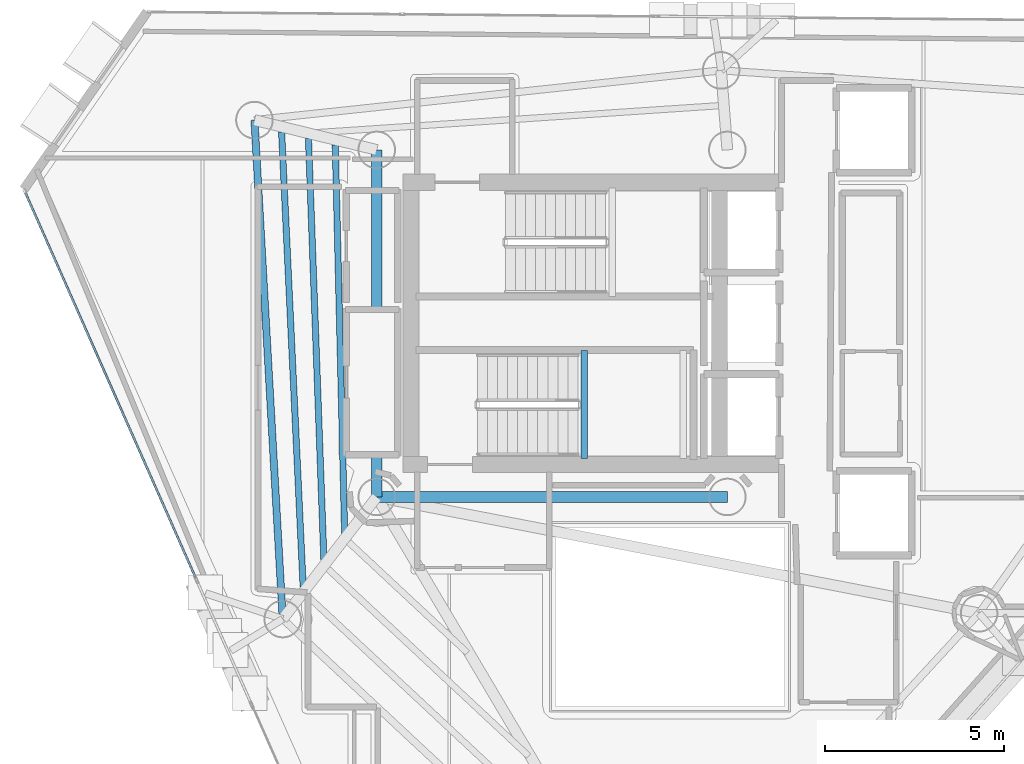
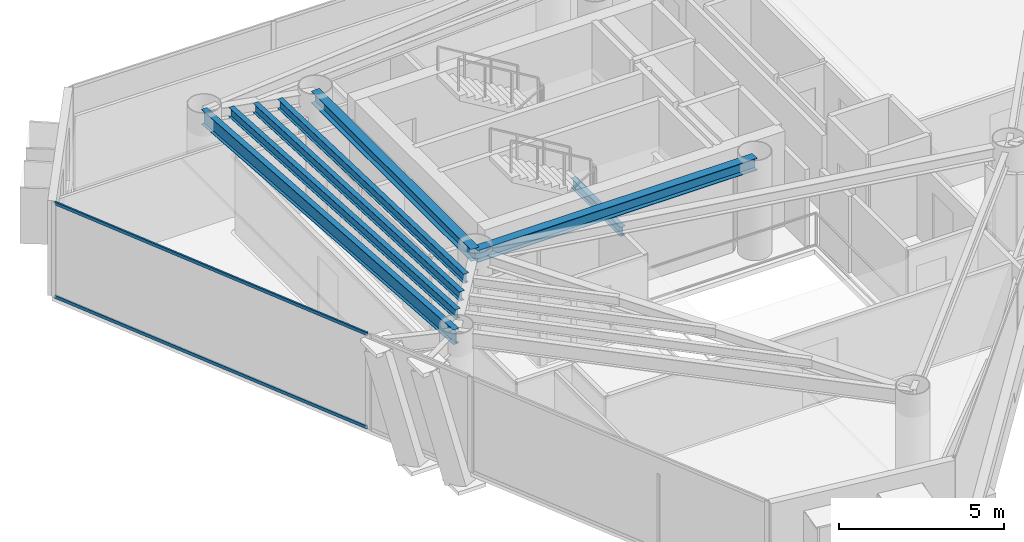
# One storey, part 8 of 21: 7 beams, 2 members, 1 element without a shape of its own.
"""IFC4 building model written with IfcOpenShell, lengths in metres."""

from ifc_helpers import new_model, si_unit, direction, frame, origin, origin_2d, place, context, subcontext, project, spatial, hollow_rectangle, i_section, extrude, material, layer, layer_set, material_profile, profile_set, type_object, element, aggregate, save


model = new_model("IFC4")

# Units and contexts
model_context = context("Model", 3, precision=1e-05, world=origin(), true_north=direction((0.0, 1.0)))
body_context = subcontext(model_context, "Body", "Model", "MODEL_VIEW")
ifc_project = project(units=[si_unit("LENGTHUNIT", "METRE"), si_unit("AREAUNIT", "SQUARE_METRE"), si_unit("VOLUMEUNIT", "CUBIC_METRE"), si_unit("PLANEANGLEUNIT", "RADIAN"), si_unit("MASSUNIT", "GRAM", prefix="KILO")], contexts=[model_context])

# Site, building, storey
site_placement = place(None, origin())
site = spatial("IfcSite", under=ifc_project, at=site_placement, CompositionType="ELEMENT")
building_placement = place(site_placement, origin())
building = spatial("IfcBuilding", under=site, at=building_placement, Name="Qianvela Tower", CompositionType="ELEMENT")
storey_placement = place(building_placement, frame((0.0, 0.0, 250.10009765625)))
storey = spatial("IfcBuildingStorey", under=building, at=storey_placement, Name="L64", CompositionType="ELEMENT", Elevation=250.10009765625)

# Beams
ifc_material_1 = material(Name="Steel Q355B", Category="steel")
ifc_material_profile_1 = material_profile(ifc_material_1, i_section(OverallWidth=0.300048828125, OverallDepth=0.43994140625, WebThickness=0.010986328125, FlangeThickness=0.01806640625, at=origin_2d()), Name="HM440x300x11x18")
ifc_profile_set_1 = profile_set([ifc_material_profile_1], Name="Steel Q355B")
beam_type_1 = type_object("IfcBeamType", Name="BM-HM440-COLL", PredefinedType="BEAM", material=ifc_profile_set_1)
beam_1_placement = place(storey_placement, frame((28.60009765625, 23.85009765625, 3.2978515625), z_axis=(1.0, 0.0, 0.0), x_axis=(0.0, 1.0, 0.0)))
element("IfcBeam", 1, at=beam_1_placement, inside=storey, type_object=beam_type_1, Name="L64 Core Ring Collector Girder CC1", PredefinedType="BEAM", context=body_context, shape_type="SweptSolid", body=[
    extrude(i_section(OverallWidth=0.300048828125, OverallDepth=0.43994140625, WebThickness=0.010986328125, FlangeThickness=0.01806640625, at=origin_2d()), origin(), (0.0, 0.0, 1.0), 9.7998046875),
])
beam_2_placement = place(storey_placement, frame((28.60009765625, 33.550048828125, 3.2978515625), z_axis=(0.0, -1.0, 0.0), x_axis=(1.0, 0.0, 0.0)))
element("IfcBeam", 2, at=beam_2_placement, inside=storey, type_object=beam_type_1, Name="L64 Core Ring Collector Girder CC2", PredefinedType="BEAM", context=body_context, shape_type="SweptSolid", body=[
    extrude(i_section(OverallWidth=0.300048828125, OverallDepth=0.43994140625, WebThickness=0.010986328125, FlangeThickness=0.01806640625, at=origin_2d()), origin(), (0.0, 0.0, 1.0), 9.699951171875),
])
ifc_material_2 = material(Name="Steel Q355B", Category="steel")
ifc_material_profile_2 = material_profile(ifc_material_2, i_section(OverallWidth=0.175048828125, OverallDepth=0.35009765625, WebThickness=0.007080078125, FlangeThickness=0.010986328125, at=origin_2d()), Name="HN350x175x7x11")
ifc_profile_set_2 = profile_set([ifc_material_profile_2], Name="Steel Q355B")
beam_type_2 = type_object("IfcBeamType", Name="BM-HN350-JOIST", PredefinedType="JOIST", material=ifc_profile_set_2)
beam_3_placement = place(storey_placement, frame((27.44140625, 33.6875, 3.343017578125), z_axis=(0.024087497273, -0.999709854145, 0.0), x_axis=(0.999709854145, 0.024087497273, 0.0)))
element("IfcBeam", 3, at=beam_3_placement, inside=storey, type_object=beam_type_2, Name="L64 Secondary Composite Floor Joist 3.1", PredefinedType="JOIST", context=body_context, shape_type="SweptSolid", body=[
    extrude(i_section(OverallWidth=0.175048828125, OverallDepth=0.35009765625, WebThickness=0.007080078125, FlangeThickness=0.010986328125, at=origin_2d()), origin(), (0.0, 0.0, 1.0), 10.855224609375),
])
beam_4_placement = place(storey_placement, frame((26.69140625, 33.87109375, 3.343017578125), z_axis=(0.036597460417, -0.999330088555, 0.0), x_axis=(0.999330088555, 0.036597460417, 0.0)))
element("IfcBeam", 4, at=beam_4_placement, inside=storey, type_object=beam_type_2, Name="L64 Secondary Composite Floor Joist 3.2", PredefinedType="JOIST", context=body_context, shape_type="SweptSolid", body=[
    extrude(i_section(OverallWidth=0.175048828125, OverallDepth=0.35009765625, WebThickness=0.007080078125, FlangeThickness=0.010986328125, at=origin_2d()), origin(), (0.0, 0.0, 1.0), 11.794189453125),
])
beam_5_placement = place(storey_placement, frame((25.94091796875, 34.0546875, 3.343017578125), z_axis=(0.04729372403, -0.998881025782, 0.0), x_axis=(0.998881025782, 0.04729372403, 0.0)))
element("IfcBeam", 5, at=beam_5_placement, inside=storey, type_object=beam_type_2, Name="L64 Secondary Composite Floor Joist 3.3", PredefinedType="JOIST", context=body_context, shape_type="SweptSolid", body=[
    extrude(i_section(OverallWidth=0.175048828125, OverallDepth=0.35009765625, WebThickness=0.007080078125, FlangeThickness=0.010986328125, at=origin_2d()), origin(), (0.0, 0.0, 1.0), 12.735107421875),
])
beam_6_placement = place(storey_placement, frame((34.39990234375, 24.919921875, 1.474853515625), z_axis=(0.0, 1.0, 0.0), x_axis=(-1.0, 0.0, 0.0)))
element("IfcBeam", 6, at=beam_6_placement, inside=storey, type_object=beam_type_2, Name="L64 Stair ST-2 Landing Support Beam 1.1", PredefinedType="JOIST", context=body_context, shape_type="SweptSolid", body=[
    extrude(i_section(OverallWidth=0.175048828125, OverallDepth=0.35009765625, WebThickness=0.007080078125, FlangeThickness=0.010986328125, at=origin_2d()), origin(), (0.0, 0.0, 1.0), 3.02001953125),
])
ifc_material_3 = material(Name="Steel Q355B", Category="steel")
ifc_material_profile_3 = material_profile(ifc_material_3, i_section(OverallWidth=0.199951171875, OverallDepth=0.550048828125, WebThickness=0.010009765625, FlangeThickness=0.01611328125, at=origin_2d()), Name="HN550x200x10x16")
ifc_profile_set_3 = profile_set([ifc_material_profile_3], Name="Steel Q355B")
beam_type_3 = type_object("IfcBeamType", Name="BM-HN550-GIRD", PredefinedType="BEAM", material=ifc_profile_set_3)
beam_7_placement = place(storey_placement, frame((25.181884765625, 34.384033203125, 3.242919921875), z_axis=(0.056555056691, -0.998399481952, 0.0), x_axis=(0.998399481952, 0.056555056691, 0.0)))
element("IfcBeam", 7, at=beam_7_placement, inside=storey, type_object=beam_type_3, Name="L64 Perimeter Ring Spandrel Girder 3", PredefinedType="BEAM", context=body_context, shape_type="SweptSolid", body=[
    extrude(i_section(OverallWidth=0.199951171875, OverallDepth=0.550048828125, WebThickness=0.010009765625, FlangeThickness=0.01611328125, at=origin_2d()), origin(), (0.0, 0.0, 1.0), 13.969482421875),
])

# Curtain wall, members
ifc_material_4 = material(Name="Anodised Architectural Aluminium and Low-E Glass", Category="aluminium")
ifc_layer = layer(ifc_material_4, 0.159912109375)
ifc_layer_set = layer_set([ifc_layer], Name="Anodised Architectural Aluminium and Low-E Glass")
curtain_wall_type = type_object("IfcCurtainWallType", Name="CW-COLIV-Z56", PredefinedType="USERDEFINED", material=ifc_layer_set)
curtain_wall_placement = place(storey_placement, origin())
curtain_wall = element("IfcCurtainWall", 8, at=curtain_wall_placement, inside=storey, type_object=curtain_wall_type, Name="L64 CW-COLIV-Z56 Curtain Wall 04A", ObjectType="CURTAIN_WALL_SYSTEM", PredefinedType="USERDEFINED")
ifc_material_5 = material(Name="Anodised Architectural Aluminium 6063-T6", Category="aluminium")
ifc_material_profile_4 = material_profile(ifc_material_5, hollow_rectangle(XDim=0.06005859375, YDim=0.114990234375, WallThickness=0.00390625, at=origin_2d()), Name="ALU-TRAN-60x115")
ifc_profile_set_4 = profile_set([ifc_material_profile_4], Name="Anodised Architectural Aluminium 6063-T6")
member_type = type_object("IfcMemberType", Name="CW-COLIV-Z56-TRAN", PredefinedType="USERDEFINED", material=ifc_profile_set_4)
member_1_placement = place(storey_placement, frame((18.781982421875, 32.346435546875, 0.02978515625), z_axis=(0.40418850876, -0.914675707224, 0.0), x_axis=(0.914675707224, 0.40418850876, 0.0)))
member_1 = element("IfcMember", 9, at=member_1_placement, type_object=member_type, Name="CW-5 transom 1.1", ObjectType="TRANSOM", PredefinedType="USERDEFINED", context=body_context, shape_type="SweptSolid", body=[
    extrude(hollow_rectangle(XDim=0.06005859375, YDim=0.114990234375, WallThickness=0.00390625, at=origin_2d()), origin(), (0.0, 0.0, 1.0), 11.750244140625),
])
member_2_placement = place(storey_placement, frame((18.781982421875, 32.346435546875, 3.489990234375), z_axis=(0.40418850876, -0.914675707224, 0.0), x_axis=(0.914675707224, 0.40418850876, 0.0)))
member_2 = element("IfcMember", 10, at=member_2_placement, type_object=member_type, Name="CW-5 transom 1.2", ObjectType="TRANSOM", PredefinedType="USERDEFINED", context=body_context, shape_type="SweptSolid", body=[
    extrude(hollow_rectangle(XDim=0.06005859375, YDim=0.114990234375, WallThickness=0.00390625, at=origin_2d()), origin(), (0.0, 0.0, 1.0), 11.750244140625),
])
aggregate(curtain_wall, [member_1, member_2])

save(model, "model.ifc")
